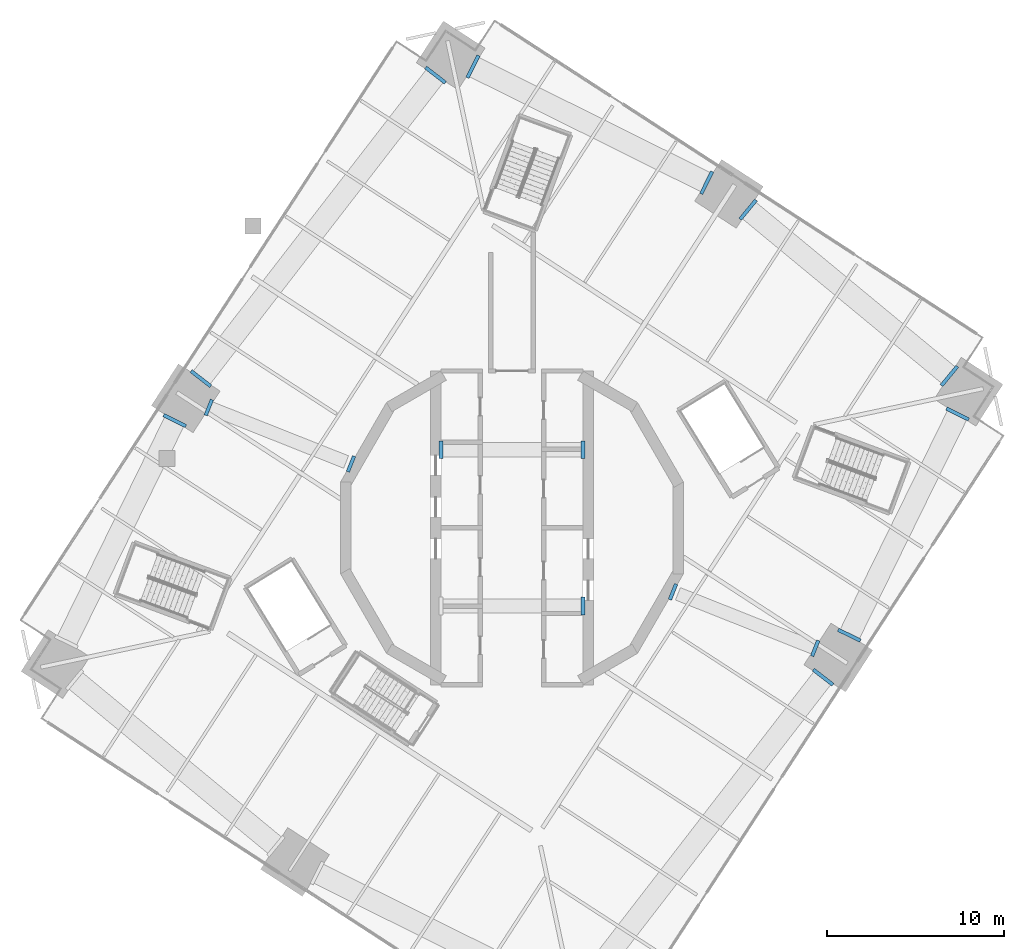
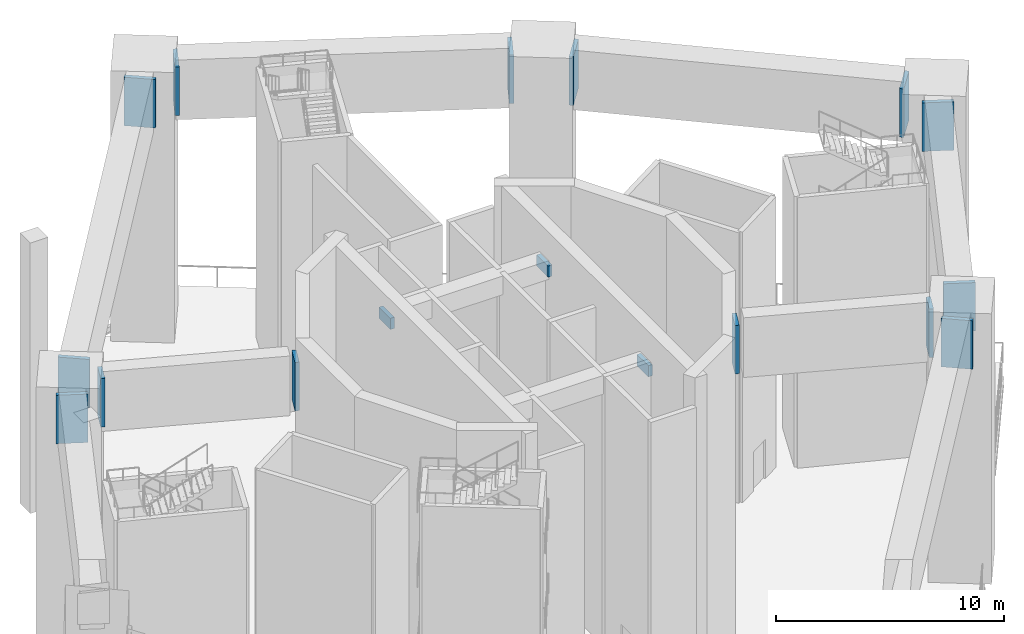
# One storey, part 9 of 16: 17 discrete accessories.
"""IFC4 building model written with IfcOpenShell, lengths in metres."""

from ifc_helpers import new_model, si_unit, direction, frame, origin, place, context, subcontext, project, spatial, polyline, outline, extrude, material, layer, layer_set, type_object, element, save


model = new_model("IFC4")

# Units and contexts
model_context = context("Model", 3, precision=1e-05, world=origin(), true_north=direction((0.0, 1.0)))
body_context = subcontext(model_context, "Body", "Model", "MODEL_VIEW")
ifc_project = project(units=[si_unit("LENGTHUNIT", "METRE"), si_unit("AREAUNIT", "SQUARE_METRE"), si_unit("VOLUMEUNIT", "CUBIC_METRE"), si_unit("PLANEANGLEUNIT", "RADIAN"), si_unit("MASSUNIT", "GRAM", prefix="KILO")], contexts=[model_context])

# Site, building, storey
site_placement = place(None, origin())
site = spatial("IfcSite", under=ifc_project, at=site_placement, CompositionType="ELEMENT")
building_placement = place(site_placement, origin())
building = spatial("IfcBuilding", under=site, at=building_placement, Name="Cantera Rosa Tower", CompositionType="ELEMENT")
storey_placement = place(building_placement, frame((0.0, 0.0, 290.10009765625)))
storey = spatial("IfcBuildingStorey", under=building, at=storey_placement, Name="L66", CompositionType="ELEMENT", Elevation=290.10009765625)

# Discrete accessories
ifc_material = material(Name="Steel ASTM A992 (Fy 345 MPa)", Category="steel")
ifc_layer = layer(ifc_material, 0.0400390625)
ifc_layer_set = layer_set([ifc_layer], Name="STEEL BEARING PLATE 40")
discrete_accessory_type = type_object("IfcDiscreteAccessoryType", Name="STEEL BEARING PLATE 40", PredefinedType="ANCHORPLATE", material=ifc_layer_set)
discrete_accessory_1_placement = place(storey_placement, frame((0.0, 0.0, 11.599853515625)))
element("IfcDiscreteAccessory", 1, at=discrete_accessory_1_placement, inside=storey, type_object=discrete_accessory_type, Name="BEARING PLATE PGB-L66-3 end 2", PredefinedType="ANCHORPLATE", context=body_context, shape_type="SweptSolid", body=[
    extrude(outline(polyline([(18.025390625, -8.91845703125), (18.147705078125, -8.76025390625), (17.0400390625, -7.904296875), (16.917724609375, -8.0625), (18.025390625, -8.91845703125)])), origin(), (0.0, 0.0, 1.0), 2.60009765625),
])
discrete_accessory_2_placement = place(storey_placement, frame((0.0, 0.0, 11.599853515625)))
element("IfcDiscreteAccessory", 2, at=discrete_accessory_2_placement, inside=storey, type_object=discrete_accessory_type, Name="BEARING PLATE PGB-L66-4 end 1", PredefinedType="ANCHORPLATE", context=body_context, shape_type="SweptSolid", body=[
    extrude(outline(polyline([(18.42041015625, -5.648681640625), (18.33251953125, -5.828125), (19.589599609375, -6.4443359375), (19.677490234375, -6.264892578125), (18.42041015625, -5.648681640625)])), origin(), (0.0, 0.0, 1.0), 2.60009765625),
])
discrete_accessory_3_placement = place(storey_placement, frame((0.0, 0.0, 11.599853515625)))
element("IfcDiscreteAccessory", 3, at=discrete_accessory_3_placement, inside=storey, type_object=discrete_accessory_type, Name="BEARING PLATE PGB-L66-4 end 2", PredefinedType="ANCHORPLATE", context=body_context, shape_type="SweptSolid", body=[
    extrude(outline(polyline([(25.69921875, 6.01904296875), (25.787109375, 6.19873046875), (24.530029296875, 6.81494140625), (24.44189453125, 6.63525390625), (25.69921875, 6.01904296875)])), origin(), (0.0, 0.0, 1.0), 2.60009765625),
])
discrete_accessory_4_placement = place(storey_placement, frame((0.0, 0.0, 11.599853515625)))
element("IfcDiscreteAccessory", 4, at=discrete_accessory_4_placement, inside=storey, type_object=discrete_accessory_type, Name="BEARING PLATE PGB-L66-5 end 1", PredefinedType="ANCHORPLATE", context=body_context, shape_type="SweptSolid", body=[
    extrude(outline(polyline([(24.12841796875, 8.089599609375), (24.28271484375, 7.96240234375), (25.17431640625, 9.041748046875), (25.02001953125, 9.169189453125), (24.12841796875, 8.089599609375)])), origin(), (0.0, 0.0, 1.0), 2.60009765625),
])
discrete_accessory_5_placement = place(storey_placement, frame((0.0, 0.0, 11.599853515625)))
element("IfcDiscreteAccessory", 5, at=discrete_accessory_5_placement, inside=storey, type_object=discrete_accessory_type, Name="BEARING PLATE PGB-L66-5 end 2", PredefinedType="ANCHORPLATE", context=body_context, shape_type="SweptSolid", body=[
    extrude(outline(polyline([(13.829345703125, 18.41259765625), (13.67529296875, 18.5400390625), (12.78369140625, 17.460693359375), (12.937744140625, 17.333251953125), (13.829345703125, 18.41259765625)])), origin(), (0.0, 0.0, 1.0), 2.60009765625),
])
discrete_accessory_6_placement = place(storey_placement, frame((0.0, 0.0, 11.599853515625)))
element("IfcDiscreteAccessory", 6, at=discrete_accessory_6_placement, inside=storey, type_object=discrete_accessory_type, Name="BEARING PLATE PGB-L66-6 end 1", PredefinedType="ANCHORPLATE", context=body_context, shape_type="SweptSolid", body=[
    extrude(outline(polyline([(10.572509765625, 18.869384765625), (10.75146484375, 18.7802734375), (11.375, 20.03369140625), (11.19580078125, 20.122802734375), (10.572509765625, 18.869384765625)])), origin(), (0.0, 0.0, 1.0), 2.60009765625),
])
discrete_accessory_7_placement = place(storey_placement, frame((0.0, 0.0, 11.599853515625)))
element("IfcDiscreteAccessory", 7, at=discrete_accessory_7_placement, inside=storey, type_object=discrete_accessory_type, Name="BEARING PLATE PGB-L66-6 end 2", PredefinedType="ANCHORPLATE", context=body_context, shape_type="SweptSolid", body=[
    extrude(outline(polyline([(-1.80029296875, 26.586181640625), (-1.979248046875, 26.67529296875), (-2.602783203125, 25.421875), (-2.423583984375, 25.332763671875), (-1.80029296875, 26.586181640625)])), origin(), (0.0, 0.0, 1.0), 2.60009765625),
])
discrete_accessory_8_placement = place(storey_placement, frame((0.0, 0.0, 11.599853515625)))
element("IfcDiscreteAccessory", 8, at=discrete_accessory_8_placement, inside=storey, type_object=discrete_accessory_type, Name="BEARING PLATE PGB-L66-7 end 1", PredefinedType="ANCHORPLATE", context=body_context, shape_type="SweptSolid", body=[
    extrude(outline(polyline([(-3.818359375, 25.0126953125), (-3.696044921875, 25.1708984375), (-4.8037109375, 26.02685546875), (-4.926025390625, 25.86865234375), (-3.818359375, 25.0126953125)])), origin(), (0.0, 0.0, 1.0), 2.60009765625),
])
discrete_accessory_9_placement = place(storey_placement, frame((0.0, 0.0, 11.599853515625)))
element("IfcDiscreteAccessory", 9, at=discrete_accessory_9_placement, inside=storey, type_object=discrete_accessory_type, Name="BEARING PLATE PGB-L66-7 end 2", PredefinedType="ANCHORPLATE", context=body_context, shape_type="SweptSolid", body=[
    extrude(outline(polyline([(-18.025390625, 8.91845703125), (-18.147705078125, 8.76025390625), (-17.0400390625, 7.904296875), (-16.917724609375, 8.0625), (-18.025390625, 8.91845703125)])), origin(), (0.0, 0.0, 1.0), 2.60009765625),
])
discrete_accessory_10_placement = place(storey_placement, frame((0.0, 0.0, 11.599853515625)))
element("IfcDiscreteAccessory", 10, at=discrete_accessory_10_placement, inside=storey, type_object=discrete_accessory_type, Name="BEARING PLATE PGB-L66-8 end 1", PredefinedType="ANCHORPLATE", context=body_context, shape_type="SweptSolid", body=[
    extrude(outline(polyline([(-18.42041015625, 5.648681640625), (-18.33251953125, 5.828125), (-19.589599609375, 6.4443359375), (-19.677490234375, 6.264892578125), (-18.42041015625, 5.648681640625)])), origin(), (0.0, 0.0, 1.0), 2.60009765625),
])
discrete_accessory_11_placement = place(storey_placement, frame((0.0, 0.0, 11.599853515625)))
element("IfcDiscreteAccessory", 11, at=discrete_accessory_11_placement, inside=storey, type_object=discrete_accessory_type, Name="BEARING PLATE OR-W66 end 1", PredefinedType="ANCHORPLATE", context=body_context, shape_type="SweptSolid", body=[
    extrude(outline(polyline([(-9.34130859375, 3.198974609375), (-9.155517578125, 3.125244140625), (-8.8046875, 4.008056640625), (-8.990478515625, 4.081787109375), (-9.34130859375, 3.198974609375)])), origin(), (0.0, 0.0, 1.0), 2.60009765625),
])
discrete_accessory_12_placement = place(storey_placement, frame((0.0, 0.0, 11.599853515625)))
element("IfcDiscreteAccessory", 12, at=discrete_accessory_12_placement, inside=storey, type_object=discrete_accessory_type, Name="BEARING PLATE OR-W66 end 2", PredefinedType="ANCHORPLATE", context=body_context, shape_type="SweptSolid", body=[
    extrude(outline(polyline([(-16.819580078125, 7.19140625), (-17.00537109375, 7.26513671875), (-17.35595703125, 6.38232421875), (-17.170166015625, 6.308349609375), (-16.819580078125, 7.19140625)])), origin(), (0.0, 0.0, 1.0), 2.60009765625),
])
discrete_accessory_13_placement = place(storey_placement, frame((0.0, 0.0, 11.599853515625)))
element("IfcDiscreteAccessory", 13, at=discrete_accessory_13_placement, inside=storey, type_object=discrete_accessory_type, Name="BEARING PLATE OR-E66 end 1", PredefinedType="ANCHORPLATE", context=body_context, shape_type="SweptSolid", body=[
    extrude(outline(polyline([(9.34130859375, -3.198974609375), (9.155517578125, -3.125244140625), (8.8046875, -4.008056640625), (8.990478515625, -4.081787109375), (9.34130859375, -3.198974609375)])), origin(), (0.0, 0.0, 1.0), 2.60009765625),
])
discrete_accessory_14_placement = place(storey_placement, frame((0.0, 0.0, 11.599853515625)))
element("IfcDiscreteAccessory", 14, at=discrete_accessory_14_placement, inside=storey, type_object=discrete_accessory_type, Name="BEARING PLATE OR-E66 end 2", PredefinedType="ANCHORPLATE", context=body_context, shape_type="SweptSolid", body=[
    extrude(outline(polyline([(16.819580078125, -7.19140625), (17.00537109375, -7.26513671875), (17.35595703125, -6.38232421875), (17.170166015625, -6.308349609375), (16.819580078125, -7.19140625)])), origin(), (0.0, 0.0, 1.0), 2.60009765625),
])
discrete_accessory_15_placement = place(storey_placement, frame((0.0, 0.0, 13.699951171875)))
element("IfcDiscreteAccessory", 15, at=discrete_accessory_15_placement, inside=storey, type_object=discrete_accessory_type, Name="BEARING PLATE CPL-L66-1 end 2", PredefinedType="ANCHORPLATE", context=body_context, shape_type="SweptSolid", body=[
    extrude(outline(polyline([(3.89990234375, -4.89990234375), (4.10009765625, -4.89990234375), (4.10009765625, -3.89990234375), (3.89990234375, -3.89990234375), (3.89990234375, -4.89990234375)])), origin(), (0.0, 0.0, 1.0), 0.599853515625),
])
discrete_accessory_16_placement = place(storey_placement, frame((0.0, 0.0, 13.699951171875)))
element("IfcDiscreteAccessory", 16, at=discrete_accessory_16_placement, inside=storey, type_object=discrete_accessory_type, Name="BEARING PLATE CPL-L66-2 end 1", PredefinedType="ANCHORPLATE", context=body_context, shape_type="SweptSolid", body=[
    extrude(outline(polyline([(-3.89990234375, 4.89990234375), (-4.10009765625, 4.89990234375), (-4.10009765625, 3.89990234375), (-3.89990234375, 3.89990234375), (-3.89990234375, 4.89990234375)])), origin(), (0.0, 0.0, 1.0), 0.599853515625),
])
discrete_accessory_17_placement = place(storey_placement, frame((0.0, 0.0, 13.699951171875)))
element("IfcDiscreteAccessory", 17, at=discrete_accessory_17_placement, inside=storey, type_object=discrete_accessory_type, Name="BEARING PLATE CPL-L66-2 end 2", PredefinedType="ANCHORPLATE", context=body_context, shape_type="SweptSolid", body=[
    extrude(outline(polyline([(3.89990234375, 3.89990234375), (4.10009765625, 3.89990234375), (4.10009765625, 4.89990234375), (3.89990234375, 4.89990234375), (3.89990234375, 3.89990234375)])), origin(), (0.0, 0.0, 1.0), 0.599853515625),
])

save(model, "model.ifc")
